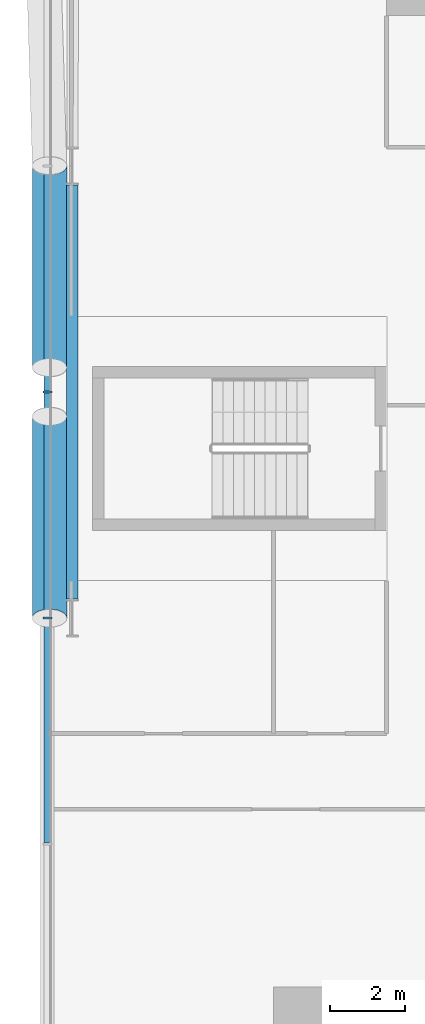
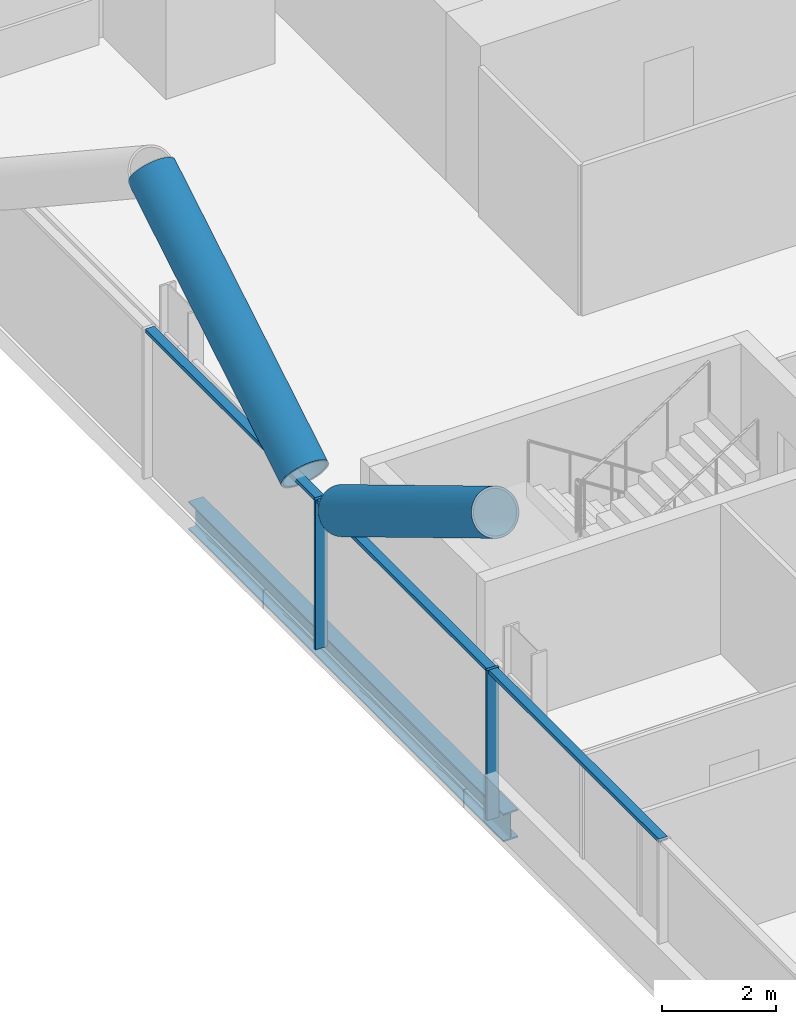
# One storey, part 5 of 27: 7 members, 1 beam, 1 element without a shape of its own.
"""IFC4 building model written with IfcOpenShell, lengths in metres."""

from ifc_helpers import new_model, si_unit, direction, frame, origin, origin_2d, place, context, subcontext, project, spatial, rectangle, hollow_circle, i_section, extrude, material, material_profile, profile_set, type_object, element, aggregate, save


model = new_model("IFC4")

# Units and contexts
model_context = context("Model", 3, precision=1e-05, world=origin(), true_north=direction((0.0, 1.0)))
body_context = subcontext(model_context, "Body", "Model", "MODEL_VIEW")
ifc_project = project(units=[si_unit("LENGTHUNIT", "METRE"), si_unit("AREAUNIT", "SQUARE_METRE"), si_unit("VOLUMEUNIT", "CUBIC_METRE"), si_unit("PLANEANGLEUNIT", "RADIAN"), si_unit("MASSUNIT", "GRAM", prefix="KILO")], contexts=[model_context])

# Site, building, storey
site_placement = place(None, origin())
site = spatial("IfcSite", under=ifc_project, at=site_placement, CompositionType="ELEMENT")
building_placement = place(site_placement, origin())
building = spatial("IfcBuilding", under=site, at=building_placement, Name="Wharfspan Tower", CompositionType="ELEMENT")
storey_placement = place(building_placement, frame((0.0, 0.0, 84.699951)))
storey = spatial("IfcBuildingStorey", under=building, at=storey_placement, Name="L18", CompositionType="ELEMENT", Elevation=84.699951)

# Beam
ifc_material_1 = material(Name="Steel S355J2", Category="steel")
ifc_material_profile_1 = material_profile(ifc_material_1, i_section(OverallWidth=0.300049, OverallDepth=0.600098, WebThickness=0.015381, FlangeThickness=0.030029, FilletRadius=0.0271, at=origin_2d()))
ifc_profile_set_1 = profile_set([ifc_material_profile_1], Name="Steel S355J2")
beam_type = type_object("IfcBeamType", Name="Edge beam HEB 600", PredefinedType="SPANDREL", material=ifc_profile_set_1)
beam_placement = place(storey_placement, frame((0.659912, 29.5, -0.699951), z_axis=(0.0, -1.0, 0.0), x_axis=(1.0, 0.0, 0.0)))
element("IfcBeam", 1, at=beam_placement, inside=storey, type_object=beam_type, Name="Edge beam W L18 PW.1 to PW.2", PredefinedType="SPANDREL", context=body_context, shape_type="SweptSolid", body=[
    extrude(i_section(OverallWidth=0.300049, OverallDepth=0.600098, WebThickness=0.015381, FlangeThickness=0.030029, FilletRadius=0.0271, at=origin_2d()), origin(), (0.0, 0.0, 1.0), 11.0),
])

# Curtain wall, members
ifc_material_2 = material(Name="Aluminium 6063-T6", Category="aluminium")
curtain_wall_type = type_object("IfcCurtainWallType", Name="CURTAIN WALL PROW AND END", PredefinedType="NOTDEFINED", material=ifc_material_2)
curtain_wall_placement = place(storey_placement, origin())
curtain_wall = element("IfcCurtainWall", 2, at=curtain_wall_placement, inside=storey, type_object=curtain_wall_type, Name="Curtain wall W", PredefinedType="NOTDEFINED")
ifc_material_profile_2 = material_profile(ifc_material_2, rectangle(XDim=0.23999, YDim=0.060059, at=origin_2d()))
ifc_profile_set_2 = profile_set([ifc_material_profile_2], Name="Aluminium 6063-T6")
member_type_1 = type_object("IfcMemberType", Name="MULLION PROW AND END 60x240", PredefinedType="MULLION", material=ifc_profile_set_2)
member_1_placement = place(storey_placement, frame((0.0, 24.0, 0.0), z_axis=(0.0, 0.0, 1.0), x_axis=(1.0, 0.0, 0.0)))
member_1 = element("IfcMember", 3, at=member_1_placement, type_object=member_type_1, Name="Curtain wall W mullion 4", PredefinedType="MULLION", context=body_context, shape_type="SweptSolid", body=[
    extrude(rectangle(XDim=0.23999, YDim=0.060059, at=origin_2d()), origin(), (0.0, 0.0, 1.0), 3.199951),
])
member_2_placement = place(storey_placement, frame((0.0, 18.0, 0.0), z_axis=(0.0, 0.0, 1.0), x_axis=(1.0, 0.0, 0.0)))
member_2 = element("IfcMember", 4, at=member_2_placement, type_object=member_type_1, Name="Curtain wall W mullion 5", PredefinedType="MULLION", context=body_context, shape_type="SweptSolid", body=[
    extrude(rectangle(XDim=0.23999, YDim=0.060059, at=origin_2d()), origin(), (0.0, 0.0, 1.0), 3.199951),
])

# Members
ifc_material_3 = material(Name="Steel S460NH", Category="steel")
ifc_material_profile_3 = material_profile(ifc_material_3, hollow_circle(Radius=0.457031, WallThickness=0.040039, at=origin_2d()))
ifc_profile_set_3 = profile_set([ifc_material_profile_3], Name="Steel S460NH")
member_type_2 = type_object("IfcMemberType", Name="Mega brace CHS 914x40", PredefinedType="BRACE", material=ifc_profile_set_3)
for number, where, z_axis, x_axis, name in (
    (5, (0.054932, 23.350098, 3.290039), (0.0, -0.8575, 0.514484), (1.0, 0.0, 0.0), "Mega brace W3 L18 part 2"),
    (6, (0.054932, 24.649902, 3.290039), (0.0, 0.8575, 0.514484), (-1.0, 0.0, 0.0), "Mega brace W3 L18 part 4"),
):
    element("IfcMember", number, at=place(storey_placement, frame(where, z_axis=z_axis, x_axis=x_axis)), inside=storey, type_object=member_type_2, Name=name, PredefinedType="BRACE", context=body_context, shape_type="SweptSolid", body=[
        extrude(hollow_circle(Radius=0.457031, WallThickness=0.040039, at=origin_2d()), origin(), (0.0, 0.0, 1.0), 6.239258),
    ])

# Member
ifc_material_profile_4 = material_profile(ifc_material_2, rectangle(XDim=0.179932, YDim=0.080078, at=origin_2d()))
ifc_profile_set_4 = profile_set([ifc_material_profile_4], Name="Aluminium 6063-T6")
member_type_3 = type_object("IfcMemberType", Name="TRANSOM PROW AND END 80x180", PredefinedType="USERDEFINED", material=ifc_profile_set_4)
member_3_placement = place(storey_placement, frame((0.0, 29.969971, 3.160156), z_axis=(0.0, -1.0, 0.0), x_axis=(1.0, 0.0, 0.0)))
member_3 = element("IfcMember", 7, at=member_3_placement, type_object=member_type_3, Name="Curtain wall W transom 3", ObjectType="TRANSOM", PredefinedType="USERDEFINED", context=body_context, shape_type="SweptSolid", body=[
    extrude(rectangle(XDim=0.179932, YDim=0.080078, at=origin_2d()), origin(), (0.0, 0.0, 1.0), 5.939941),
])

member_4_placement = place(storey_placement, frame((0.0, 23.969971, 3.160156), z_axis=(0.0, -1.0, 0.0), x_axis=(1.0, 0.0, 0.0)))
member_4 = element("IfcMember", 8, at=member_4_placement, type_object=member_type_3, Name="Curtain wall W transom 4", ObjectType="TRANSOM", PredefinedType="USERDEFINED", context=body_context, shape_type="SweptSolid", body=[
    extrude(rectangle(XDim=0.179932, YDim=0.080078, at=origin_2d()), origin(), (0.0, 0.0, 1.0), 5.939941),
])

member_5_placement = place(storey_placement, frame((0.0, 17.969971, 3.160156), z_axis=(0.0, -1.0, 0.0), x_axis=(1.0, 0.0, 0.0)))
member_5 = element("IfcMember", 9, at=member_5_placement, type_object=member_type_3, Name="Curtain wall W transom 5", ObjectType="TRANSOM", PredefinedType="USERDEFINED", context=body_context, shape_type="SweptSolid", body=[
    extrude(rectangle(XDim=0.179932, YDim=0.080078, at=origin_2d()), origin(), (0.0, 0.0, 1.0), 5.939941),
])

aggregate(curtain_wall, [member_1, member_2, member_3, member_4, member_5])

save(model, "model.ifc")
